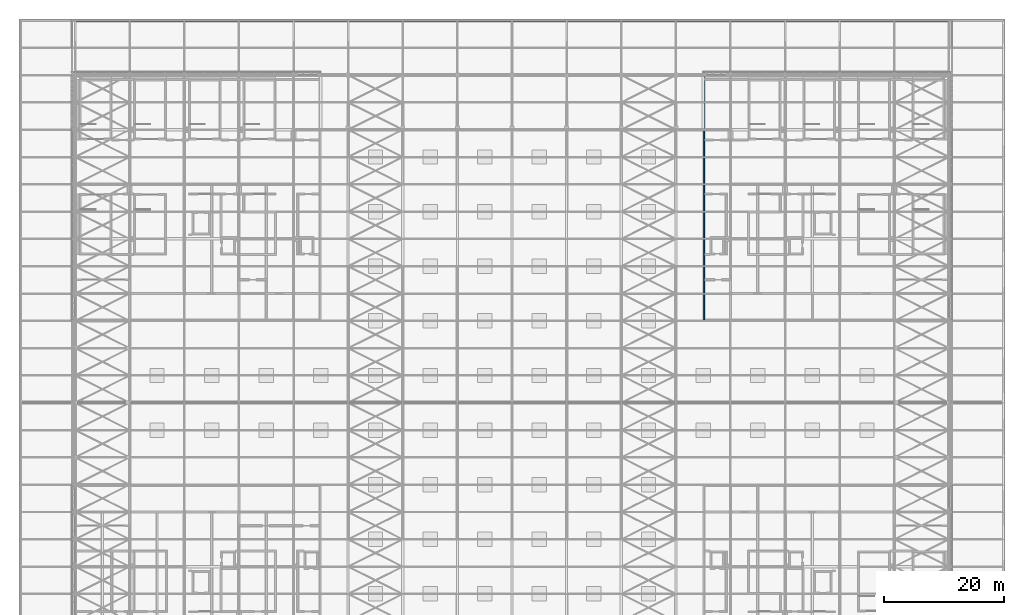
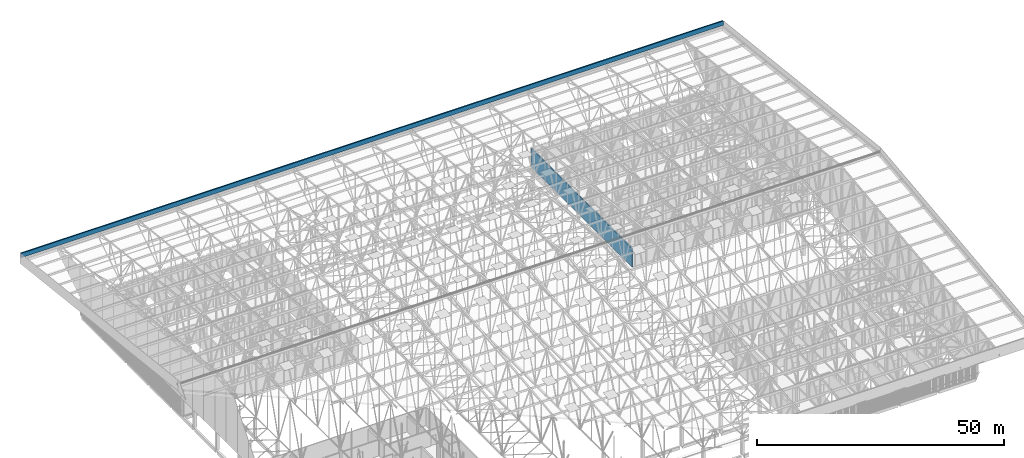
# One storey, part 433 of 500: 2 walls.
"""IFC4 building model written with IfcOpenShell, lengths in metres."""

from ifc_helpers import new_model, si_unit, direction, frame, frame_2d, origin, place, context, subcontext, project, spatial, rectangle, extrude, material, layer, layer_set, type_object, element, save


model = new_model("IFC4")

# Units and contexts
model_context = context("Model", 3, precision=1e-05, world=origin(), true_north=direction((0.0, 1.0)))
body_context = subcontext(model_context, "Body", "Model", "MODEL_VIEW")
ifc_project = project(units=[si_unit("LENGTHUNIT", "METRE"), si_unit("AREAUNIT", "SQUARE_METRE"), si_unit("VOLUMEUNIT", "CUBIC_METRE"), si_unit("PLANEANGLEUNIT", "RADIAN"), si_unit("MASSUNIT", "GRAM", prefix="KILO")], contexts=[model_context])

# Site, building, storey
site_placement = place(None, origin())
site = spatial("IfcSite", under=ifc_project, at=site_placement, CompositionType="ELEMENT")
building_placement = place(site_placement, origin())
building = spatial("IfcBuilding", under=site, at=building_placement, Name="Shirokan Park Arena", CompositionType="ELEMENT")
storey_placement = place(building_placement, frame((0.0, 0.0, 29.1201171875)))
storey = spatial("IfcBuildingStorey", under=building, at=storey_placement, Name="L06", CompositionType="ELEMENT", Elevation=29.1201171875)

# Walls
ifc_material_1 = material(Name="Concrete C35", Category="concrete")
ifc_layer_1 = layer(ifc_material_1, 0.25)
ifc_layer_set_1 = layer_set([ifc_layer_1], Name="Concrete C35 250 mm")
wall_type_1 = type_object("IfcWallType", Name="RC flank wall 250", PredefinedType="SHEAR", material=ifc_layer_set_1)
wall_1_placement = place(storey_placement, frame((104.77490234375, 68.25, 0.0), z_axis=(0.0, 0.0, 1.0), x_axis=(0.0, 1.0, 0.0)))
element("IfcWall", 1, at=wall_1_placement, inside=storey, type_object=wall_type_1, Name="Flank wall N2 L06", PredefinedType="SHEAR", context=body_context, shape_type="SweptSolid", body=[
    extrude(rectangle(XDim=40.77490234375, YDim=0.25, at=frame_2d((20.387451171875, 0.0))), origin(), (0.0, 0.0, 1.0), 4.5498046875),
])
ifc_material_2 = material(Name="Cedar cladding")
ifc_layer_2 = layer(ifc_material_2, 0.02001953125, Name="Cedar cladding")
ifc_material_3 = material(Name="Mineral wool insulation")
ifc_layer_3 = layer(ifc_material_3, 0.030029296875, Name="Mineral wool insulation")
ifc_material_4 = material(Name="Concrete C40/50", Category="concrete")
ifc_layer_4 = layer(ifc_material_4, 0.25, Name="Concrete C40/50")
ifc_layer_set_2 = layer_set([ifc_layer_2, ifc_layer_3, ifc_layer_4], Name="Cedar cladding + Mineral wool insulation + Concrete C40/50")
wall_type_2 = type_object("IfcWallType", Name="Roof parapet 300", PredefinedType="PARAPET", material=ifc_layer_set_2)
wall_2_placement = place(storey_placement, frame((-9.10009765625, 118.199951171875, 11.889892578125), z_axis=(0.0, 0.0, 1.0), x_axis=(1.0, 0.0, 0.0)))
element("IfcWall", 2, at=wall_2_placement, inside=storey, type_object=wall_type_2, Name="Roof parapet north", PredefinedType="PARAPET", context=body_context, shape_type="SweptSolid", body=[
    extrude(rectangle(XDim=163.800048828125, YDim=0.300048828125, at=frame_2d((81.89990234375, 0.0))), origin(), (0.0, 0.0, 1.0), 1.10009765625),
])

save(model, "model.ifc")
